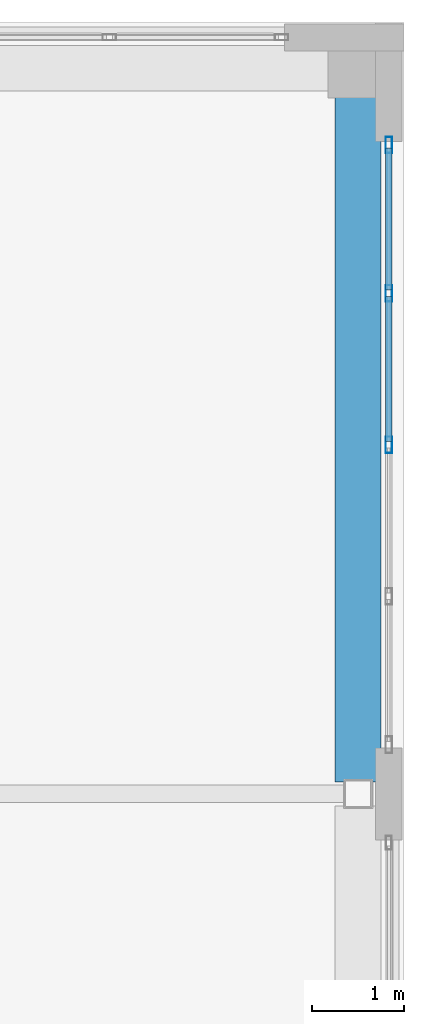
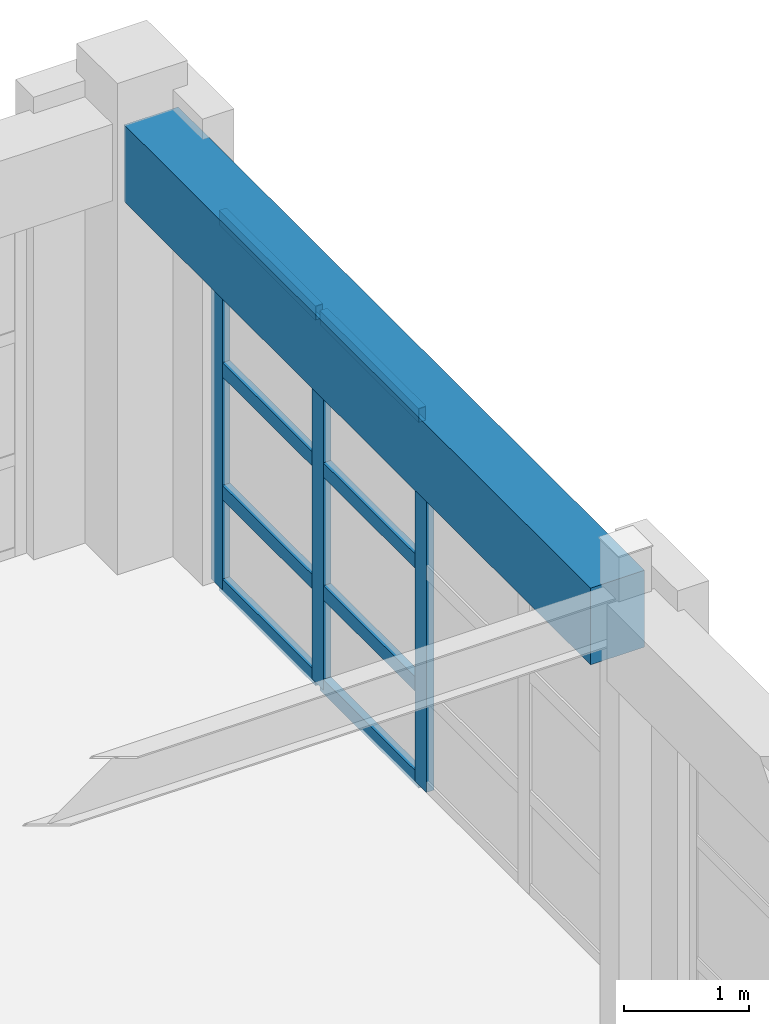
# One storey, part 88 of 123: 11 members, 1 beam, 1 element without a shape of its own.
"""IFC4 building model written with IfcOpenShell, lengths in metres."""

from ifc_helpers import new_model, si_unit, direction, frame, origin, origin_2d, place, context, subcontext, project, spatial, rectangle, hollow_rectangle, extrude, material, layer, layer_set, material_profile, profile_set, type_object, element, aggregate, save


model = new_model("IFC4")

# Units and contexts
model_context = context("Model", 3, precision=1e-05, world=origin(), true_north=direction((0.0, 1.0)))
body_context = subcontext(model_context, "Body", "Model", "MODEL_VIEW")
ifc_project = project(units=[si_unit("LENGTHUNIT", "METRE"), si_unit("AREAUNIT", "SQUARE_METRE"), si_unit("VOLUMEUNIT", "CUBIC_METRE"), si_unit("PLANEANGLEUNIT", "RADIAN"), si_unit("MASSUNIT", "GRAM", prefix="KILO")], contexts=[model_context])

# Site, building, storey
site_placement = place(None, origin())
site = spatial("IfcSite", under=ifc_project, at=site_placement, CompositionType="ELEMENT")
building_placement = place(site_placement, origin())
building = spatial("IfcBuilding", under=site, at=building_placement, Name="Quendrovan Civic Courthouse", CompositionType="ELEMENT")
storey_placement = place(building_placement, frame((0.0, 0.0, 5.39990234375)))
storey = spatial("IfcBuildingStorey", under=building, at=storey_placement, Name="L02", CompositionType="ELEMENT", Elevation=5.39990234375)

# Beam
ifc_material_1 = material(Name="Concrete C40/50", Category="concrete")
ifc_material_profile_1 = material_profile(ifc_material_1, rectangle(XDim=0.5, YDim=0.75, at=origin_2d()), Name="RC-BM-500x750")
ifc_profile_set_1 = profile_set([ifc_material_profile_1], Name="Concrete C40/50")
beam_type = type_object("IfcBeamType", Name="BM-RC750", PredefinedType="SPANDREL", material=ifc_profile_set_1)
beam_placement = place(storey_placement, frame((160.300048828125, 102.1298828125, 3.985107421875), z_axis=(0.0, 1.0, 0.0), x_axis=(-1.0, 0.0, 0.0)))
element("IfcBeam", 1, at=beam_placement, inside=storey, type_object=beam_type, Name="L02 Girder Y0710", PredefinedType="SPANDREL", context=body_context, shape_type="SweptSolid", body=[
    extrude(rectangle(XDim=0.5, YDim=0.75, at=origin_2d()), origin(), (0.0, 0.0, 1.0), 7.465087890625),
])

# Curtain wall, members
ifc_material_2 = material(Name="Bronze anodised aluminium and low-E glass", Category="aluminium")
ifc_layer = layer(ifc_material_2, 0.179931640625, Name="Bronze anodised aluminium and low-E glass")
ifc_layer_set = layer_set([ifc_layer], Name="Bronze anodised aluminium and low-E glass")
curtain_wall_type = type_object("IfcCurtainWallType", Name="CW-U66x36", PredefinedType="USERDEFINED", material=ifc_layer_set)
curtain_wall_placement = place(storey_placement, origin())
curtain_wall = element("IfcCurtainWall", 2, at=curtain_wall_placement, inside=storey, type_object=curtain_wall_type, Name="L02 Unitised Hurricane Curtain Wall CW-096", ObjectType="UNITISED CURTAIN WALL", PredefinedType="USERDEFINED")
ifc_material_3 = material(Name="Bronze anodised aluminium", Category="aluminium")
ifc_material_profile_2 = material_profile(ifc_material_3, hollow_rectangle(XDim=0.070068359375, YDim=0.179931640625, WallThickness=0.00390625, at=origin_2d()), Name="CW-MULL-70x180")
ifc_profile_set_2 = profile_set([ifc_material_profile_2], Name="Bronze anodised aluminium")
member_type_1 = type_object("IfcMemberType", Name="CW-MULL-A", PredefinedType="MULLION", material=ifc_profile_set_2)
member_1_placement = place(storey_placement, frame((160.635009765625, 109.06494140625, 0.0), z_axis=(0.0, 0.0, 1.0), x_axis=(1.0, 0.0, 0.0)))
member_1 = element("IfcMember", 3, at=member_1_placement, type_object=member_type_1, Name="CW-096 mullion 1", PredefinedType="MULLION", context=body_context, shape_type="SweptSolid", body=[
    extrude(hollow_rectangle(XDim=0.070068359375, YDim=0.179931640625, WallThickness=0.00390625, at=origin_2d()), origin(), (0.0, 0.0, 1.0), 3.64013671875),
])
member_2_placement = place(storey_placement, frame((160.635009765625, 107.449951171875, 0.0), z_axis=(0.0, 0.0, 1.0), x_axis=(1.0, 0.0, 0.0)))
member_2 = element("IfcMember", 4, at=member_2_placement, type_object=member_type_1, Name="CW-096 mullion 2", PredefinedType="MULLION", context=body_context, shape_type="SweptSolid", body=[
    extrude(hollow_rectangle(XDim=0.070068359375, YDim=0.179931640625, WallThickness=0.00390625, at=origin_2d()), origin(), (0.0, 0.0, 1.0), 3.64013671875),
])
member_3_placement = place(storey_placement, frame((160.635009765625, 105.800048828125, 0.0), z_axis=(0.0, 0.0, 1.0), x_axis=(1.0, 0.0, 0.0)))
member_3 = element("IfcMember", 5, at=member_3_placement, type_object=member_type_1, Name="CW-096 mullion 3", PredefinedType="MULLION", context=body_context, shape_type="SweptSolid", body=[
    extrude(hollow_rectangle(XDim=0.070068359375, YDim=0.179931640625, WallThickness=0.00390625, at=origin_2d()), origin(), (0.0, 0.0, 1.0), 3.64013671875),
])
ifc_material_profile_3 = material_profile(ifc_material_3, hollow_rectangle(XDim=0.070068359375, YDim=0.139892578125, WallThickness=0.00390625, at=origin_2d()), Name="CW-TRAN-70x140")
ifc_profile_set_3 = profile_set([ifc_material_profile_3], Name="Bronze anodised aluminium")
member_type_2 = type_object("IfcMemberType", Name="CW-TRAN-A", PredefinedType="USERDEFINED", material=ifc_profile_set_3)
member_4_placement = place(storey_placement, frame((160.635009765625, 109.030029296875, 0.03515625), z_axis=(0.0, -1.0, 0.0), x_axis=(1.0, 0.0, 0.0)))
member_4 = element("IfcMember", 6, at=member_4_placement, type_object=member_type_2, Name="CW-096 transom 1.1", ObjectType="TRANSOM", PredefinedType="USERDEFINED", context=body_context, shape_type="SweptSolid", body=[
    extrude(hollow_rectangle(XDim=0.070068359375, YDim=0.139892578125, WallThickness=0.00390625, at=origin_2d()), origin(), (0.0, 0.0, 1.0), 1.544921875),
])
member_5_placement = place(storey_placement, frame((160.635009765625, 109.030029296875, 0.9501953125), z_axis=(0.0, -1.0, 0.0), x_axis=(1.0, 0.0, 0.0)))
member_5 = element("IfcMember", 7, at=member_5_placement, type_object=member_type_2, Name="CW-096 transom 1.2", ObjectType="TRANSOM", PredefinedType="USERDEFINED", context=body_context, shape_type="SweptSolid", body=[
    extrude(hollow_rectangle(XDim=0.070068359375, YDim=0.139892578125, WallThickness=0.00390625, at=origin_2d()), origin(), (0.0, 0.0, 1.0), 1.544921875),
])
member_6_placement = place(storey_placement, frame((160.635009765625, 109.030029296875, 2.150146484375), z_axis=(0.0, -1.0, 0.0), x_axis=(1.0, 0.0, 0.0)))
member_6 = element("IfcMember", 8, at=member_6_placement, type_object=member_type_2, Name="CW-096 transom 1.3", ObjectType="TRANSOM", PredefinedType="USERDEFINED", context=body_context, shape_type="SweptSolid", body=[
    extrude(hollow_rectangle(XDim=0.070068359375, YDim=0.139892578125, WallThickness=0.00390625, at=origin_2d()), origin(), (0.0, 0.0, 1.0), 1.544921875),
])
member_7_placement = place(storey_placement, frame((160.635009765625, 109.030029296875, 3.60498046875), z_axis=(0.0, -1.0, 0.0), x_axis=(1.0, 0.0, 0.0)))
member_7 = element("IfcMember", 9, at=member_7_placement, type_object=member_type_2, Name="CW-096 transom 1.4", ObjectType="TRANSOM", PredefinedType="USERDEFINED", context=body_context, shape_type="SweptSolid", body=[
    extrude(hollow_rectangle(XDim=0.070068359375, YDim=0.139892578125, WallThickness=0.00390625, at=origin_2d()), origin(), (0.0, 0.0, 1.0), 1.544921875),
])
member_8_placement = place(storey_placement, frame((160.635009765625, 107.4150390625, 0.03515625), z_axis=(0.0, -1.0, 0.0), x_axis=(1.0, 0.0, 0.0)))
member_8 = element("IfcMember", 10, at=member_8_placement, type_object=member_type_2, Name="CW-096 transom 2.1", ObjectType="TRANSOM", PredefinedType="USERDEFINED", context=body_context, shape_type="SweptSolid", body=[
    extrude(hollow_rectangle(XDim=0.070068359375, YDim=0.139892578125, WallThickness=0.00390625, at=origin_2d()), origin(), (0.0, 0.0, 1.0), 1.580078125),
])
member_9_placement = place(storey_placement, frame((160.635009765625, 107.4150390625, 0.9501953125), z_axis=(0.0, -1.0, 0.0), x_axis=(1.0, 0.0, 0.0)))
member_9 = element("IfcMember", 11, at=member_9_placement, type_object=member_type_2, Name="CW-096 transom 2.2", ObjectType="TRANSOM", PredefinedType="USERDEFINED", context=body_context, shape_type="SweptSolid", body=[
    extrude(hollow_rectangle(XDim=0.070068359375, YDim=0.139892578125, WallThickness=0.00390625, at=origin_2d()), origin(), (0.0, 0.0, 1.0), 1.580078125),
])
member_10_placement = place(storey_placement, frame((160.635009765625, 107.4150390625, 2.150146484375), z_axis=(0.0, -1.0, 0.0), x_axis=(1.0, 0.0, 0.0)))
member_10 = element("IfcMember", 12, at=member_10_placement, type_object=member_type_2, Name="CW-096 transom 2.3", ObjectType="TRANSOM", PredefinedType="USERDEFINED", context=body_context, shape_type="SweptSolid", body=[
    extrude(hollow_rectangle(XDim=0.070068359375, YDim=0.139892578125, WallThickness=0.00390625, at=origin_2d()), origin(), (0.0, 0.0, 1.0), 1.580078125),
])
member_11_placement = place(storey_placement, frame((160.635009765625, 107.4150390625, 3.60498046875), z_axis=(0.0, -1.0, 0.0), x_axis=(1.0, 0.0, 0.0)))
member_11 = element("IfcMember", 13, at=member_11_placement, type_object=member_type_2, Name="CW-096 transom 2.4", ObjectType="TRANSOM", PredefinedType="USERDEFINED", context=body_context, shape_type="SweptSolid", body=[
    extrude(hollow_rectangle(XDim=0.070068359375, YDim=0.139892578125, WallThickness=0.00390625, at=origin_2d()), origin(), (0.0, 0.0, 1.0), 1.580078125),
])
aggregate(curtain_wall, [member_1, member_2, member_3, member_4, member_5, member_6, member_7, member_8, member_9, member_10, member_11])

save(model, "model.ifc")
